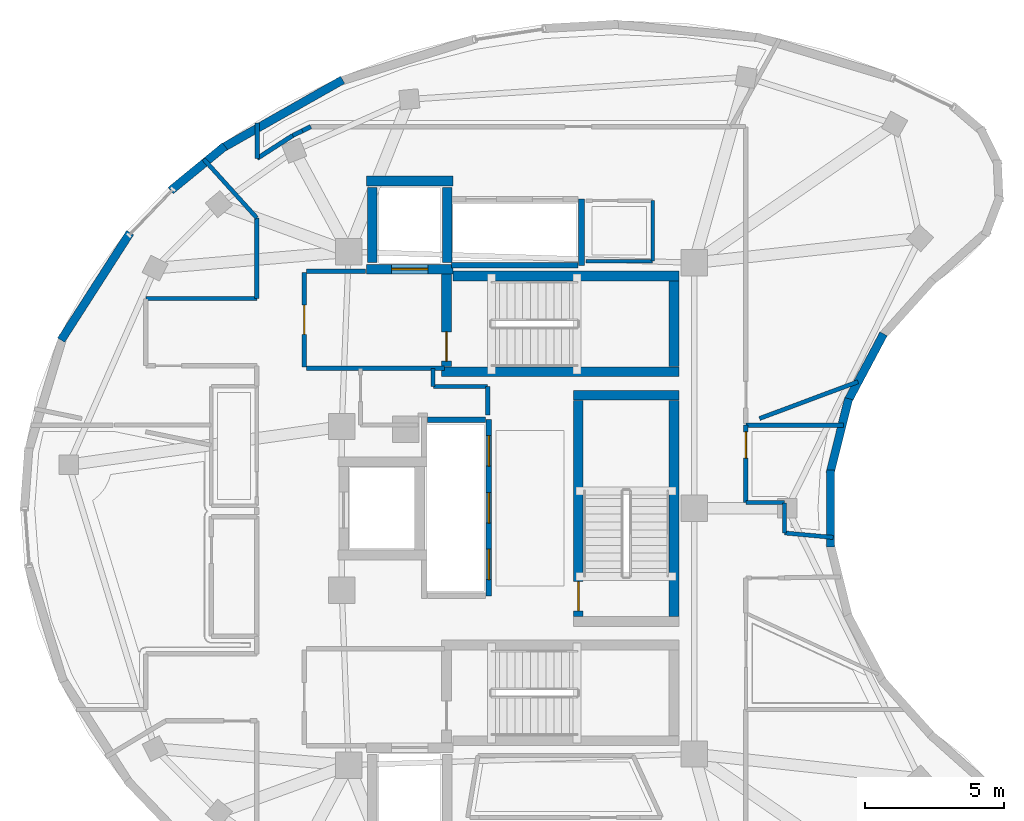
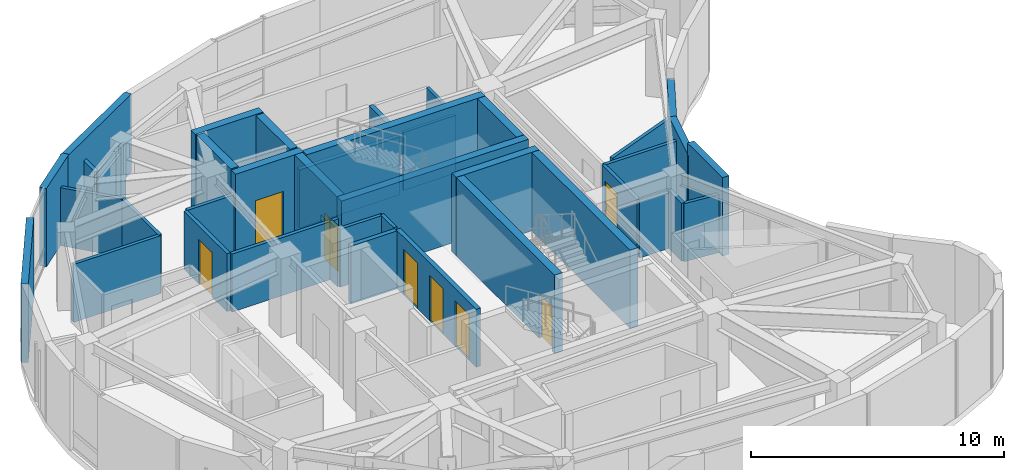
# One storey, part 5 of 8: 42 walls, 8 doors, 8 openings.
"""IFC4 building model written with IfcOpenShell, lengths in metres."""

from ifc_helpers import new_model, si_unit, direction, frame, frame_2d, origin, place, context, subcontext, project, spatial, rectangle, extrude, material, layer, layer_set, type_object, element, fill, save


model = new_model("IFC4")

# Units and contexts
model_context = context("Model", 3, precision=1e-05, world=origin(), true_north=direction((0.0, 1.0)))
body_context = subcontext(model_context, "Body", "Model", "MODEL_VIEW")
ifc_project = project(units=[si_unit("LENGTHUNIT", "METRE"), si_unit("AREAUNIT", "SQUARE_METRE"), si_unit("VOLUMEUNIT", "CUBIC_METRE"), si_unit("PLANEANGLEUNIT", "RADIAN"), si_unit("MASSUNIT", "GRAM", prefix="KILO")], contexts=[model_context])

# Site, building, storey
site_placement = place(None, origin())
site = spatial("IfcSite", under=ifc_project, at=site_placement, CompositionType="ELEMENT")
building_placement = place(site_placement, origin())
building = spatial("IfcBuilding", under=site, at=building_placement, Name="Korentha Bioscience Tower", CompositionType="ELEMENT")
storey_placement = place(building_placement, frame((0.0, 0.0, 318.60009765625)))
storey = spatial("IfcBuildingStorey", under=building, at=storey_placement, Name="L73", CompositionType="ELEMENT", Elevation=318.60009765625)

# Wall, opening, door
ifc_material_1 = material(Name="Double-Stud Acoustic Gypsum", Category="gypsum")
ifc_layer_1 = layer(ifc_material_1, 0.14990234375, Name="Double-Stud Acoustic Gypsum")
ifc_layer_set_1 = layer_set([ifc_layer_1], Name="Double-Stud Acoustic Gypsum (IW-L150)")
wall_type_1 = type_object("IfcWallType", Name="Acoustic Laboratory Partition Wall 150", PredefinedType="PARTITIONING", material=ifc_layer_set_1)
wall_1_placement = place(storey_placement, frame((39.409912109375, 27.2099609375, 0.0), z_axis=(0.0, 0.0, 1.0), x_axis=(0.0, 1.0, 0.0)))
wall_1 = element("IfcWall", 1, at=wall_1_placement, inside=storey, type_object=wall_type_1, Name="L73 Catering Warming Kitchen and Scullery 06 Entrance Wall", PredefinedType="PARTITIONING", context=body_context, shape_type="SweptSolid", body=[
    extrude(rectangle(XDim=2.7880859375, YDim=0.14990234375, at=frame_2d((1.39404296875, 0.0))), origin(), (0.0, 0.0, 1.0), 2.7998046875),
])
opening_1_placement = place(wall_1_placement, frame((1.597900390625, 0.0, 0.0)))
opening_1 = element("IfcOpeningElement", 2, at=opening_1_placement, cuts=wall_1, Name="Opening ID-10R", PredefinedType="OPENING", context=body_context, shape_type="SweptSolid", body=[
    extrude(rectangle(XDim=0.949951171875, YDim=2.14990234375, at=frame_2d((0.47509765625, 1.074951171875))), frame((0.0, 0.08984375, 0.0), z_axis=(0.0, -1.0, 0.0), x_axis=(1.0, 0.0, 0.0)), (0.0, 0.0, 1.0), 0.1796875),
])
ifc_material_2 = material(Name="Phenolic Laminate Timber Core", Category="wood")
door_type_1 = type_object("IfcDoorType", Name="Laboratory Single Leaf Door 950x2150 Right", OperationType="SINGLE_SWING_RIGHT", PredefinedType="DOOR", material=ifc_material_2)
door_1_placement = place(opening_1_placement, origin())
door_1 = element("IfcDoor", 3, at=door_1_placement, inside=storey, type_object=door_type_1, Name="L73 Catering Warming Kitchen and Scullery 06 Door", OperationType="SINGLE_SWING_RIGHT", OverallHeight=2.14990234375, OverallWidth=0.949951171875, PredefinedType="DOOR", context=body_context, shape_type="SweptSolid", body=[
    extrude(rectangle(XDim=0.949951171875, YDim=2.14990234375, at=frame_2d((0.47509765625, 1.074951171875))), frame((0.0, 0.02490234375, 0.0), z_axis=(0.0, -1.0, 0.0), x_axis=(1.0, 0.0, 0.0)), (0.0, 0.0, 1.0), 0.050048828125),
])
fill(opening_1, door_1)

# Walls
wall_2_placement = place(storey_placement, frame((42.561767578125, 25.95263671875, 0.0), z_axis=(0.0, 0.0, 1.0), x_axis=(-0.995732412273, 0.092287394308, 0.0)))
element("IfcWall", 4, at=wall_2_placement, inside=storey, type_object=wall_type_1, Name="L73 Interior Partition 039", PredefinedType="PARTITIONING", context=body_context, shape_type="SweptSolid", body=[
    extrude(rectangle(XDim=1.75927734375, YDim=0.14990234375, at=frame_2d((0.879638671875, 0.0))), origin(), (0.0, 0.0, 1.0), 2.7998046875),
])
wall_3_placement = place(storey_placement, frame((40.81005859375, 26.114990234375, 0.0), z_axis=(0.0, 0.0, 1.0), x_axis=(0.0, 1.0, 0.0)))
element("IfcWall", 5, at=wall_3_placement, inside=storey, type_object=wall_type_1, Name="L73 Interior Partition 040", PredefinedType="PARTITIONING", context=body_context, shape_type="SweptSolid", body=[
    extrude(rectangle(XDim=1.0849609375, YDim=0.14990234375, at=frame_2d((0.54248046875, 0.0))), origin(), (0.0, 0.0, 1.0), 2.7998046875),
])
wall_4_placement = place(storey_placement, frame((40.800048828125, 27.2099609375, 0.0), z_axis=(0.0, 0.0, 1.0), x_axis=(-1.0, 0.0, 0.0)))
element("IfcWall", 6, at=wall_4_placement, inside=storey, type_object=wall_type_1, Name="L73 Interior Partition 041", PredefinedType="PARTITIONING", context=body_context, shape_type="SweptSolid", body=[
    extrude(rectangle(XDim=1.39013671875, YDim=0.14990234375, at=frame_2d((0.695068359375, 0.0))), origin(), (0.0, 0.0, 1.0), 2.7998046875),
])
wall_5_placement = place(storey_placement, frame((39.409912109375, 29.998046875, 0.0), z_axis=(0.0, 0.0, 1.0), x_axis=(1.0, 0.0, 0.0)))
element("IfcWall", 7, at=wall_5_placement, inside=storey, type_object=wall_type_1, Name="L73 Interior Partition 042", PredefinedType="PARTITIONING", context=body_context, shape_type="SweptSolid", body=[
    extrude(rectangle(XDim=3.522705078125, YDim=0.14990234375, at=frame_2d((1.76123046875, 0.0))), origin(), (0.0, 0.0, 1.0), 2.7998046875),
])
wall_6_placement = place(storey_placement, frame((43.452880859375, 31.564697265625, 0.0), z_axis=(0.0, 0.0, 1.0), x_axis=(-0.936680936722, -0.350183984186, 0.0)))
element("IfcWall", 8, at=wall_6_placement, inside=storey, type_object=wall_type_1, Name="L73 Interior Partition 043", PredefinedType="PARTITIONING", context=body_context, shape_type="SweptSolid", body=[
    extrude(rectangle(XDim=3.78857421875, YDim=0.14990234375, at=frame_2d((1.894287109375, 0.0))), origin(), (0.0, 0.0, 1.0), 2.7998046875),
])
wall_7_placement = place(storey_placement, frame((28.139892578125, 32.0400390625, 0.0), z_axis=(0.0, 0.0, 1.0), x_axis=(0.0, -1.0, 0.0)))
element("IfcWall", 9, at=wall_7_placement, inside=storey, type_object=wall_type_1, Name="L73 Interior Partition 050", PredefinedType="PARTITIONING", context=body_context, shape_type="SweptSolid", body=[
    extrude(rectangle(XDim=0.64013671875, YDim=0.14990234375, at=frame_2d((0.320068359375, 0.0))), origin(), (0.0, 0.0, 1.0), 2.7998046875),
])
wall_8_placement = place(storey_placement, frame((28.14990234375, 31.389892578125, 0.0), z_axis=(0.0, 0.0, 1.0), x_axis=(1.0, 0.0, 0.0)))
element("IfcWall", 10, at=wall_8_placement, inside=storey, type_object=wall_type_1, Name="L73 Interior Partition 051", PredefinedType="PARTITIONING", context=body_context, shape_type="SweptSolid", body=[
    extrude(rectangle(XDim=1.960205078125, YDim=0.14990234375, at=frame_2d((0.97998046875, 0.0))), origin(), (0.0, 0.0, 1.0), 2.7998046875),
])
wall_9_placement = place(storey_placement, frame((30.110107421875, 31.389892578125, 0.0), z_axis=(0.0, 0.0, 1.0), x_axis=(0.0, -1.0, 0.0)))
element("IfcWall", 11, at=wall_9_placement, inside=storey, type_object=wall_type_1, Name="L73 Interior Partition 052", PredefinedType="PARTITIONING", context=body_context, shape_type="SweptSolid", body=[
    extrude(rectangle(XDim=1.02978515625, YDim=0.14990234375, at=frame_2d((0.514892578125, 0.0))), origin(), (0.0, 0.0, 1.0), 2.7998046875),
])
wall_10_placement = place(storey_placement, frame((19.876953125, 39.58349609375, 0.0), z_axis=(0.0, 0.0, 1.0), x_axis=(0.670438239368, -0.741965340965, 0.0)))
element("IfcWall", 12, at=wall_10_placement, inside=storey, type_object=wall_type_1, Name="L73 Interior Partition 057", PredefinedType="PARTITIONING", context=body_context, shape_type="SweptSolid", body=[
    extrude(rectangle(XDim=2.853515625, YDim=0.14990234375, at=frame_2d((1.4267578125, 0.0))), origin(), (0.0, 0.0, 1.0), 2.7998046875),
])
wall_11_placement = place(storey_placement, frame((21.7900390625, 37.46630859375, 0.0), z_axis=(0.0, 0.0, 1.0), x_axis=(0.0, -1.0, 0.0)))
element("IfcWall", 13, at=wall_11_placement, inside=storey, type_object=wall_type_1, Name="L73 Interior Partition 058", PredefinedType="PARTITIONING", context=body_context, shape_type="SweptSolid", body=[
    extrude(rectangle(XDim=2.90625, YDim=0.14990234375, at=frame_2d((1.453125, 0.0))), origin(), (0.0, 0.0, 1.0), 2.7998046875),
])
wall_12_placement = place(storey_placement, frame((21.7900390625, 34.56005859375, 0.0), z_axis=(0.0, 0.0, 1.0), x_axis=(-1.0, 0.0, 0.0)))
element("IfcWall", 14, at=wall_12_placement, inside=storey, type_object=wall_type_1, Name="L73 Interior Partition 059", PredefinedType="PARTITIONING", context=body_context, shape_type="SweptSolid", body=[
    extrude(rectangle(XDim=3.989990234375, YDim=0.14990234375, at=frame_2d((1.9951171875, 0.0))), origin(), (0.0, 0.0, 1.0), 2.7998046875),
])

# Wall, opening, door
ifc_material_3 = material(Name="Gypsum-Clad Steel Stud", Category="steel")
ifc_layer_2 = layer(ifc_material_3, 0.159912109375, Name="Gypsum-Clad Steel Stud")
ifc_layer_set_2 = layer_set([ifc_layer_2], Name="Gypsum-Clad Steel Stud (IW-C160)")
wall_type_2 = type_object("IfcWallType", Name="Fire-Rated Corridor Partition Wall 160", PredefinedType="PARTITIONING", material=ifc_layer_set_2)
wall_13_placement = place(storey_placement, frame((23.5, 32.10009765625, 0.0), z_axis=(0.0, 0.0, 1.0), x_axis=(0.0, 1.0, 0.0)))
wall_13 = element("IfcWall", 15, at=wall_13_placement, inside=storey, type_object=wall_type_2, Name="L73 FFLN-CW Rated Enclosure Wall", PredefinedType="PARTITIONING", context=body_context, shape_type="SweptSolid", body=[
    extrude(rectangle(XDim=3.39990234375, YDim=0.159912109375, at=frame_2d((1.699951171875, 0.0))), origin(), (0.0, 0.0, 1.0), 2.7998046875),
])
opening_2_placement = place(wall_13_placement, frame((1.175048828125, 0.0, 0.0)))
opening_2 = element("IfcOpeningElement", 16, at=opening_2_placement, cuts=wall_13, Name="Opening FD-90R", PredefinedType="OPENING", context=body_context, shape_type="SweptSolid", body=[
    extrude(rectangle(XDim=1.050048828125, YDim=2.14990234375, at=frame_2d((0.52490234375, 1.074951171875))), frame((0.0, 0.0947265625, 0.0), z_axis=(0.0, -1.0, 0.0), x_axis=(1.0, 0.0, 0.0)), (0.0, 0.0, 1.0), 0.189697265625),
])
ifc_material_4 = material(Name="Powder-Coated Fire-Rated Steel", Category="steel")
door_type_2 = type_object("IfcDoorType", Name="Stairwell Fire Exit Door 1050x2150 Right", OperationType="SINGLE_SWING_RIGHT", PredefinedType="DOOR", material=ifc_material_4)
door_2_placement = place(opening_2_placement, origin())
door_2 = element("IfcDoor", 17, at=door_2_placement, inside=storey, type_object=door_type_2, Name="L73 North Firefighting Lobby Door", OperationType="SINGLE_SWING_RIGHT", OverallHeight=2.14990234375, OverallWidth=1.050048828125, PredefinedType="DOOR", context=body_context, shape_type="SweptSolid", body=[
    extrude(rectangle(XDim=1.050048828125, YDim=2.14990234375, at=frame_2d((0.52490234375, 1.074951171875))), frame((0.0, 0.02490234375, 0.0), z_axis=(0.0, -1.0, 0.0), x_axis=(1.0, 0.0, 0.0)), (0.0, 0.0, 1.0), 0.050048828125),
])
fill(opening_2, door_2)

# Walls
wall_14_placement = place(storey_placement, frame((23.580078125, 32.050048828125, 0.0), z_axis=(0.0, 0.0, 1.0), x_axis=(1.0, 0.0, 0.0)))
element("IfcWall", 18, at=wall_14_placement, inside=storey, type_object=wall_type_2, Name="L73 Firefighting Lobby Return Wall FFLN-S", PredefinedType="PARTITIONING", context=body_context, shape_type="SweptSolid", body=[
    extrude(rectangle(XDim=4.969970703125, YDim=0.159912109375, at=frame_2d((2.48486328125, 0.0))), origin(), (0.0, 0.0, 1.0), 2.7998046875),
])
wall_15_placement = place(storey_placement, frame((23.580078125, 35.550048828125, 0.0), z_axis=(0.0, 0.0, 1.0), x_axis=(1.0, 0.0, 0.0)))
element("IfcWall", 19, at=wall_15_placement, inside=storey, type_object=wall_type_2, Name="L73 Firefighting Lobby Return Wall FFLN-N", PredefinedType="PARTITIONING", context=body_context, shape_type="SweptSolid", body=[
    extrude(rectangle(XDim=2.119873046875, YDim=0.159912109375, at=frame_2d((1.06005859375, 0.0))), origin(), (0.0, 0.0, 1.0), 2.7998046875),
])
wall_16_placement = place(storey_placement, frame((23.732177734375, 40.759033203125, 0.0), z_axis=(0.0, 0.0, 1.0), x_axis=(-0.895294719733, -0.445474314431, 0.0)))
element("IfcWall", 20, at=wall_16_placement, inside=storey, type_object=wall_type_2, Name="L73 Interior Partition 046", PredefinedType="PARTITIONING", context=body_context, shape_type="SweptSolid", body=[
    extrude(rectangle(XDim=0.337158203125, YDim=0.159912109375, at=frame_2d((0.16845703125, 0.0))), origin(), (0.0, 0.0, 1.0), 2.7998046875),
])
wall_17_placement = place(storey_placement, frame((23.430419921875, 40.60888671875, 0.0), z_axis=(0.0, 0.0, 1.0), x_axis=(-0.895442423971, -0.445177341463, 0.0)))
element("IfcWall", 21, at=wall_17_placement, inside=storey, type_object=wall_type_2, Name="L73 Interior Partition 047", PredefinedType="PARTITIONING", context=body_context, shape_type="SweptSolid", body=[
    extrude(rectangle(XDim=0.3837890625, YDim=0.159912109375, at=frame_2d((0.19189453125, 0.0))), origin(), (0.0, 0.0, 1.0), 2.7998046875),
])
wall_18_placement = place(storey_placement, frame((23.085693359375, 40.4375, 0.0), z_axis=(0.0, 0.0, 1.0), x_axis=(-0.841116099264, -0.540854608522, 0.0)))
element("IfcWall", 22, at=wall_18_placement, inside=storey, type_object=wall_type_2, Name="L73 Interior Partition 048", PredefinedType="PARTITIONING", context=body_context, shape_type="SweptSolid", body=[
    extrude(rectangle(XDim=1.526123046875, YDim=0.159912109375, at=frame_2d((0.76318359375, 0.0))), origin(), (0.0, 0.0, 1.0), 2.7998046875),
])
wall_19_placement = place(storey_placement, frame((21.802001953125, 39.612060546875, 0.0), z_axis=(0.0, 0.0, 1.0), x_axis=(0.0, 1.0, 0.0)))
element("IfcWall", 23, at=wall_19_placement, inside=storey, type_object=wall_type_2, Name="L73 Interior Partition 049", PredefinedType="PARTITIONING", context=body_context, shape_type="SweptSolid", body=[
    extrude(rectangle(XDim=1.2685546875, YDim=0.159912109375, at=frame_2d((0.63427734375, 0.0))), origin(), (0.0, 0.0, 1.0), 2.7998046875),
])
ifc_material_5 = material(Name="Honed Limestone Precast Concrete C40", Category="masonry")
ifc_layer_3 = layer(ifc_material_5, 0.300048828125, Name="Honed Limestone Precast Concrete C40")
ifc_layer_set_3 = layer_set([ifc_layer_3], Name="Honed Limestone Precast Concrete C40 (EW-ST300)")
wall_type_3 = type_object("IfcWallType", Name="Honed Limestone Cavity Spandrel Wall 300", PredefinedType="STANDARD", material=ifc_layer_set_3)
wall_20_placement = place(storey_placement, frame((24.8828125, 42.441650390625, 0.0), z_axis=(0.0, 0.0, 1.0), x_axis=(-0.869895003659, -0.493236943679, 0.0)))
element("IfcWall", 24, at=wall_20_placement, inside=storey, type_object=wall_type_3, Name="L73 Limestone Perimeter Closure Wall 10", PredefinedType="STANDARD", context=body_context, shape_type="SweptSolid", body=[
    extrude(rectangle(XDim=5.05126953125, YDim=0.300048828125, at=frame_2d((2.525634765625, 0.0))), origin(), (0.0, 0.0, 1.0), 3.789794921875),
])
wall_21_placement = place(storey_placement, frame((20.639892578125, 40.053955078125, 0.0), z_axis=(0.0, 0.0, 1.0), x_axis=(-0.77351792086, -0.633774428411, 0.0)))
element("IfcWall", 25, at=wall_21_placement, inside=storey, type_object=wall_type_3, Name="L73 Limestone Perimeter Closure Wall 12", PredefinedType="STANDARD", context=body_context, shape_type="SweptSolid", body=[
    extrude(rectangle(XDim=2.5263671875, YDim=0.300048828125, at=frame_2d((1.26318359375, 0.0))), origin(), (0.0, 0.0, 1.0), 3.789794921875),
])
wall_22_placement = place(storey_placement, frame((17.22412109375, 36.936279296875, 0.0), z_axis=(0.0, 0.0, 1.0), x_axis=(-0.540087262842, -0.841609023547, 0.0)))
element("IfcWall", 26, at=wall_22_placement, inside=storey, type_object=wall_type_3, Name="L73 Limestone Perimeter Closure Wall 14", PredefinedType="STANDARD", context=body_context, shape_type="SweptSolid", body=[
    extrude(rectangle(XDim=4.60302734375, YDim=0.300048828125, at=frame_2d((2.301513671875, 0.0))), origin(), (0.0, 0.0, 1.0), 3.789794921875),
])
wall_23_placement = place(storey_placement, frame((42.460693359375, 25.61279296875, 0.0), z_axis=(0.0, 0.0, 1.0), x_axis=(0.0, 1.0, 0.0)))
element("IfcWall", 27, at=wall_23_placement, inside=storey, type_object=wall_type_3, Name="L73 Limestone Perimeter Closure Wall 49", PredefinedType="STANDARD", context=body_context, shape_type="SweptSolid", body=[
    extrude(rectangle(XDim=2.7744140625, YDim=0.300048828125, at=frame_2d((1.38720703125, 0.0))), origin(), (0.0, 0.0, 1.0), 3.789794921875),
])
wall_24_placement = place(storey_placement, frame((42.445556640625, 28.263427734375, 0.0), z_axis=(0.0, 0.0, 1.0), x_axis=(0.241914392704, 0.970297596927, 0.0)))
element("IfcWall", 28, at=wall_24_placement, inside=storey, type_object=wall_type_3, Name="L73 Limestone Perimeter Closure Wall 51", PredefinedType="STANDARD", context=body_context, shape_type="SweptSolid", body=[
    extrude(rectangle(XDim=2.7744140625, YDim=0.300048828125, at=frame_2d((1.38720703125, 0.0))), origin(), (0.0, 0.0, 1.0), 3.23193359375),
])
wall_25_placement = place(storey_placement, frame((43.072021484375, 30.839111328125, 0.0), z_axis=(0.0, 0.0, 1.0), x_axis=(0.469496211135, 0.882934486658, 0.0)))
element("IfcWall", 29, at=wall_25_placement, inside=storey, type_object=wall_type_3, Name="L73 Limestone Perimeter Closure Wall 53", PredefinedType="STANDARD", context=body_context, shape_type="SweptSolid", body=[
    extrude(rectangle(XDim=2.774169921875, YDim=0.300048828125, at=frame_2d((1.38720703125, 0.0))), origin(), (0.0, 0.0, 1.0), 3.23193359375),
])

# Wall, openings, doors
ifc_material_6 = material(Name="Autoclaved Aerated Concrete Block C25", Category="concrete")
ifc_layer_4 = layer(ifc_material_6, 0.199951171875, Name="Autoclaved Aerated Concrete Block C25")
ifc_layer_set_4 = layer_set([ifc_layer_4], Name="Autoclaved Aerated Concrete Block C25 (IW-S200)")
wall_type_4 = type_object("IfcWallType", Name="Lift and Riser Shaft Enclosure Wall 200", PredefinedType="PARTITIONING", material=ifc_layer_set_4)
wall_26_placement = place(storey_placement, frame((30.14990234375, 23.85009765625, 0.0), z_axis=(0.0, 0.0, 1.0), x_axis=(0.0, 1.0, 0.0)))
wall_26 = element("IfcWall", 30, at=wall_26_placement, inside=storey, type_object=wall_type_4, Name="L73 Lift Bank HIGH Shaft Wall +X", PredefinedType="PARTITIONING", context=body_context, shape_type="SweptSolid", body=[
    extrude(rectangle(XDim=6.349853515625, YDim=0.199951171875, at=frame_2d((3.1748046875, 0.0))), origin(), (0.0, 0.0, 1.0), 2.7998046875),
])
opening_3_placement = place(wall_26_placement, frame((0.580078125, 0.0, 0.0)))
opening_3 = element("IfcOpeningElement", 31, at=opening_3_placement, cuts=wall_26, Name="Opening LD-11", PredefinedType="OPENING", context=body_context, shape_type="SweptSolid", body=[
    extrude(rectangle(XDim=1.10009765625, YDim=2.199951171875, at=frame_2d((0.550048828125, 1.10009765625))), frame((0.0, 0.11474609375, 0.0), z_axis=(0.0, -1.0, 0.0), x_axis=(1.0, 0.0, 0.0)), (0.0, 0.0, 1.0), 0.229736328125),
])
opening_4_placement = place(wall_26_placement, frame((2.6201171875, 0.0, 0.0)))
opening_4 = element("IfcOpeningElement", 32, at=opening_4_placement, cuts=wall_26, Name="Opening LD-11", PredefinedType="OPENING", context=body_context, shape_type="SweptSolid", body=[
    extrude(rectangle(XDim=1.10009765625, YDim=2.199951171875, at=frame_2d((0.550048828125, 1.10009765625))), frame((0.0, 0.11474609375, 0.0), z_axis=(0.0, -1.0, 0.0), x_axis=(1.0, 0.0, 0.0)), (0.0, 0.0, 1.0), 0.229736328125),
])
opening_5_placement = place(wall_26_placement, frame((4.669921875, 0.0, 0.0)))
opening_5 = element("IfcOpeningElement", 33, at=opening_5_placement, cuts=wall_26, Name="Opening LD-11", PredefinedType="OPENING", context=body_context, shape_type="SweptSolid", body=[
    extrude(rectangle(XDim=1.10009765625, YDim=2.199951171875, at=frame_2d((0.550048828125, 1.10009765625))), frame((0.0, 0.11474609375, 0.0), z_axis=(0.0, -1.0, 0.0), x_axis=(1.0, 0.0, 0.0)), (0.0, 0.0, 1.0), 0.229736328125),
])
ifc_material_7 = material(Name="Brushed Stainless Steel 304", Category="steel")
door_type_3 = type_object("IfcDoorType", Name="Passenger Lift Sliding Landing Door 1100x2200", OperationType="DOUBLE_DOOR_SLIDING", PredefinedType="DOOR", material=ifc_material_7)
door_3_placement = place(opening_3_placement, origin())
door_3 = element("IfcDoor", 34, at=door_3_placement, inside=storey, type_object=door_type_3, Name="L73 PL-H1 Sliding Lift Landing Door", OperationType="DOUBLE_DOOR_SLIDING", OverallHeight=2.199951171875, OverallWidth=1.10009765625, PredefinedType="DOOR", context=body_context, shape_type="SweptSolid", body=[
    extrude(rectangle(XDim=1.10009765625, YDim=2.199951171875, at=frame_2d((0.550048828125, 1.10009765625))), frame((0.0, 0.02490234375, 0.0), z_axis=(0.0, -1.0, 0.0), x_axis=(1.0, 0.0, 0.0)), (0.0, 0.0, 1.0), 0.050048828125),
])
fill(opening_3, door_3)
door_4_placement = place(opening_4_placement, origin())
door_4 = element("IfcDoor", 35, at=door_4_placement, inside=storey, type_object=door_type_3, Name="L73 PL-H2 Sliding Lift Landing Door", OperationType="DOUBLE_DOOR_SLIDING", OverallHeight=2.199951171875, OverallWidth=1.10009765625, PredefinedType="DOOR", context=body_context, shape_type="SweptSolid", body=[
    extrude(rectangle(XDim=1.10009765625, YDim=2.199951171875, at=frame_2d((0.550048828125, 1.10009765625))), frame((0.0, 0.02490234375, 0.0), z_axis=(0.0, -1.0, 0.0), x_axis=(1.0, 0.0, 0.0)), (0.0, 0.0, 1.0), 0.050048828125),
])
fill(opening_4, door_4)
door_5_placement = place(opening_5_placement, origin())
door_5 = element("IfcDoor", 36, at=door_5_placement, inside=storey, type_object=door_type_3, Name="L73 PL-H3 Sliding Lift Landing Door", OperationType="DOUBLE_DOOR_SLIDING", OverallHeight=2.199951171875, OverallWidth=1.10009765625, PredefinedType="DOOR", context=body_context, shape_type="SweptSolid", body=[
    extrude(rectangle(XDim=1.10009765625, YDim=2.199951171875, at=frame_2d((0.550048828125, 1.10009765625))), frame((0.0, 0.02490234375, 0.0), z_axis=(0.0, -1.0, 0.0), x_axis=(1.0, 0.0, 0.0)), (0.0, 0.0, 1.0), 0.050048828125),
])
fill(opening_5, door_5)

# Walls
wall_27_placement = place(storey_placement, frame((27.93408203125, 30.199951171875, 0.0), z_axis=(0.0, 0.0, 1.0), x_axis=(1.0, 0.0, 0.0)))
element("IfcWall", 37, at=wall_27_placement, inside=storey, type_object=wall_type_4, Name="L73 Lift Bank HIGH Shaft Wall +Y", PredefinedType="PARTITIONING", context=body_context, shape_type="SweptSolid", body=[
    extrude(rectangle(XDim=2.095947265625, YDim=0.199951171875, at=frame_2d((1.0478515625, 0.0))), origin(), (0.0, 0.0, 1.0), 2.7998046875),
])
wall_28_placement = place(storey_placement, frame((33.489990234375, 35.760009765625, 0.0), z_axis=(0.0, 0.0, 1.0), x_axis=(0.0, 1.0, 0.0)))
element("IfcWall", 38, at=wall_28_placement, inside=storey, type_object=wall_type_4, Name="L73 Lift Bank OBS Shaft Wall +X", PredefinedType="PARTITIONING", context=body_context, shape_type="SweptSolid", body=[
    extrude(rectangle(XDim=2.3798828125, YDim=0.199951171875, at=frame_2d((1.18994140625, 0.0))), origin(), (0.0, 0.0, 1.0), 2.7998046875),
])
wall_29_placement = place(storey_placement, frame((28.800048828125, 35.760009765625, 0.0), z_axis=(0.0, 0.0, 1.0), x_axis=(1.0, 0.0, 0.0)))
element("IfcWall", 39, at=wall_29_placement, inside=storey, type_object=wall_type_4, Name="L73 Lift Bank OBS Shaft Wall -Y", PredefinedType="PARTITIONING", context=body_context, shape_type="SweptSolid", body=[
    extrude(rectangle(XDim=4.570068359375, YDim=0.199951171875, at=frame_2d((2.28515625, 0.0))), origin(), (0.0, 0.0, 1.0), 2.7998046875),
])
ifc_material_8 = material(Name="Concrete C50", Category="concrete")
ifc_layer_5 = layer(ifc_material_8, 0.35009765625, Name="Concrete C50")
ifc_layer_set_5 = layer_set([ifc_layer_5], Name="Concrete C50 (CW-C50)")
wall_type_5 = type_object("IfcWallType", Name="Upper Core Shear Wall 350", PredefinedType="SHEAR", material=ifc_layer_set_5)
wall_30_placement = place(storey_placement, frame((28.85205078125, 35.375, 0.0), z_axis=(0.0, 0.0, 1.0), x_axis=(1.0, 0.0, 0.0)))
element("IfcWall", 40, at=wall_30_placement, inside=storey, type_object=wall_type_5, Name="L73 Core Shear Wall ST1-N", PredefinedType="SHEAR", context=body_context, shape_type="SweptSolid", body=[
    extrude(rectangle(XDim=8.14794921875, YDim=0.35009765625, at=frame_2d((4.073974609375, 0.0))), origin(), (0.0, 0.0, 1.0), 3.789794921875),
])
wall_31_placement = place(storey_placement, frame((28.449951171875, 31.925048828125, 0.0), z_axis=(0.0, 0.0, 1.0), x_axis=(1.0, 0.0, 0.0)))
element("IfcWall", 41, at=wall_31_placement, inside=storey, type_object=wall_type_5, Name="L73 Core Shear Wall ST1-S", PredefinedType="SHEAR", context=body_context, shape_type="SweptSolid", body=[
    extrude(rectangle(XDim=8.550048828125, YDim=0.35009765625, at=frame_2d((4.27490234375, 0.0))), origin(), (0.0, 0.0, 1.0), 3.789794921875),
])
wall_32_placement = place(storey_placement, frame((36.824951171875, 32.110107421875, 0.0), z_axis=(0.0, 0.0, 1.0), x_axis=(0.0, 1.0, 0.0)))
element("IfcWall", 42, at=wall_32_placement, inside=storey, type_object=wall_type_5, Name="L73 Core Shear Wall ST1-E", PredefinedType="SHEAR", context=body_context, shape_type="SweptSolid", body=[
    extrude(rectangle(XDim=3.079833984375, YDim=0.35009765625, at=frame_2d((1.5400390625, 0.0))), origin(), (0.0, 0.0, 1.0), 3.789794921875),
])

# Wall, opening, door
wall_33_placement = place(storey_placement, frame((28.625, 32.110107421875, 0.0), z_axis=(0.0, 0.0, 1.0), x_axis=(0.0, 1.0, 0.0)))
wall_33 = element("IfcWall", 43, at=wall_33_placement, inside=storey, type_object=wall_type_5, Name="L73 Core Shear Wall ST1-W", PredefinedType="SHEAR", context=body_context, shape_type="SweptSolid", body=[
    extrude(rectangle(XDim=3.3330078125, YDim=0.35009765625, at=frame_2d((1.66650390625, 0.0))), origin(), (0.0, 0.0, 1.0), 3.789794921875),
])
opening_6_placement = place(wall_33_placement, frame((0.199951171875, 0.0, 0.0)))
opening_6 = element("IfcOpeningElement", 44, at=opening_6_placement, cuts=wall_33, Name="Opening FD-90R", PredefinedType="OPENING", context=body_context, shape_type="SweptSolid", body=[
    extrude(rectangle(XDim=1.050048828125, YDim=2.14990234375, at=frame_2d((0.52490234375, 1.074951171875))), frame((0.0, 0.18994140625, 0.0), z_axis=(0.0, -1.0, 0.0), x_axis=(1.0, 0.0, 0.0)), (0.0, 0.0, 1.0), 0.3798828125),
])
door_6_placement = place(opening_6_placement, origin())
door_6 = element("IfcDoor", 45, at=door_6_placement, inside=storey, type_object=door_type_2, Name="L73 ST-1 Fire Exit Stair Door", OperationType="SINGLE_SWING_RIGHT", OverallHeight=2.14990234375, OverallWidth=1.050048828125, PredefinedType="DOOR", context=body_context, shape_type="SweptSolid", body=[
    extrude(rectangle(XDim=1.050048828125, YDim=2.14990234375, at=frame_2d((0.52490234375, 1.074951171875))), frame((0.0, 0.02490234375, 0.0), z_axis=(0.0, -1.0, 0.0), x_axis=(1.0, 0.0, 0.0)), (0.0, 0.0, 1.0), 0.050048828125),
])
fill(opening_6, door_6)

# Walls
wall_34_placement = place(storey_placement, frame((33.199951171875, 31.074951171875, 0.0), z_axis=(0.0, 0.0, 1.0), x_axis=(1.0, 0.0, 0.0)))
element("IfcWall", 46, at=wall_34_placement, inside=storey, type_object=wall_type_5, Name="L73 Core Shear Wall ST3-N", PredefinedType="SHEAR", context=body_context, shape_type="SweptSolid", body=[
    extrude(rectangle(XDim=3.800048828125, YDim=0.35009765625, at=frame_2d((1.89990234375, 0.0))), origin(), (0.0, 0.0, 1.0), 3.789794921875),
])
wall_35_placement = place(storey_placement, frame((36.824951171875, 23.110107421875, 0.0), z_axis=(0.0, 0.0, 1.0), x_axis=(0.0, 1.0, 0.0)))
element("IfcWall", 47, at=wall_35_placement, inside=storey, type_object=wall_type_5, Name="L73 Core Shear Wall ST3-E", PredefinedType="SHEAR", context=body_context, shape_type="SweptSolid", body=[
    extrude(rectangle(XDim=7.77978515625, YDim=0.35009765625, at=frame_2d((3.889892578125, 0.0))), origin(), (0.0, 0.0, 1.0), 3.789794921875),
])

# Wall, opening, door
wall_36_placement = place(storey_placement, frame((33.375, 23.110107421875, 0.0), z_axis=(0.0, 0.0, 1.0), x_axis=(0.0, 1.0, 0.0)))
wall_36 = element("IfcWall", 48, at=wall_36_placement, inside=storey, type_object=wall_type_5, Name="L73 Core Shear Wall ST3-W", PredefinedType="SHEAR", context=body_context, shape_type="SweptSolid", body=[
    extrude(rectangle(XDim=7.77978515625, YDim=0.35009765625, at=frame_2d((3.889892578125, 0.0))), origin(), (0.0, 0.0, 1.0), 3.789794921875),
])
opening_7_placement = place(wall_36_placement, frame((0.199951171875, 0.0, 0.0)))
opening_7 = element("IfcOpeningElement", 49, at=opening_7_placement, cuts=wall_36, Name="Opening FD-90R", PredefinedType="OPENING", context=body_context, shape_type="SweptSolid", body=[
    extrude(rectangle(XDim=1.050048828125, YDim=2.14990234375, at=frame_2d((0.52490234375, 1.074951171875))), frame((0.0, 0.18994140625, 0.0), z_axis=(0.0, -1.0, 0.0), x_axis=(1.0, 0.0, 0.0)), (0.0, 0.0, 1.0), 0.3798828125),
])
door_7_placement = place(opening_7_placement, origin())
door_7 = element("IfcDoor", 50, at=door_7_placement, inside=storey, type_object=door_type_2, Name="L73 ST-3 Fire Exit Stair Door", OperationType="SINGLE_SWING_RIGHT", OverallHeight=2.14990234375, OverallWidth=1.050048828125, PredefinedType="DOOR", context=body_context, shape_type="SweptSolid", body=[
    extrude(rectangle(XDim=1.050048828125, YDim=2.14990234375, at=frame_2d((0.52490234375, 1.074951171875))), frame((0.0, 0.02490234375, 0.0), z_axis=(0.0, -1.0, 0.0), x_axis=(1.0, 0.0, 0.0)), (0.0, 0.0, 1.0), 0.050048828125),
])
fill(opening_7, door_7)

# Wall
wall_37_placement = place(storey_placement, frame((25.75, 38.800048828125, 0.0), z_axis=(0.0, 0.0, 1.0), x_axis=(1.0, 0.0, 0.0)))
element("IfcWall", 51, at=wall_37_placement, inside=storey, type_object=wall_type_5, Name="L73 Core Shear Wall FFL2-N", PredefinedType="SHEAR", context=body_context, shape_type="SweptSolid", body=[
    extrude(rectangle(XDim=3.10009765625, YDim=0.35009765625, at=frame_2d((1.550048828125, 0.0))), origin(), (0.0, 0.0, 1.0), 3.789794921875),
])

# Wall, opening, door
wall_38_placement = place(storey_placement, frame((25.75, 35.6201171875, 0.0), z_axis=(0.0, 0.0, 1.0), x_axis=(1.0, 0.0, 0.0)))
wall_38 = element("IfcWall", 52, at=wall_38_placement, inside=storey, type_object=wall_type_5, Name="L73 Core Shear Wall FFL2-S", PredefinedType="SHEAR", context=body_context, shape_type="SweptSolid", body=[
    extrude(rectangle(XDim=3.10009765625, YDim=0.35009765625, at=frame_2d((1.550048828125, 0.0))), origin(), (0.0, 0.0, 1.0), 3.789794921875),
])
opening_8_placement = place(wall_38_placement, frame((0.89990234375, 0.0, 0.0)))
opening_8 = element("IfcOpeningElement", 53, at=opening_8_placement, cuts=wall_38, Name="Opening LD-13", PredefinedType="OPENING", context=body_context, shape_type="SweptSolid", body=[
    extrude(rectangle(XDim=1.300048828125, YDim=2.199951171875, at=frame_2d((0.64990234375, 1.10009765625))), frame((0.0, 0.18994140625, 0.0), z_axis=(0.0, -1.0, 0.0), x_axis=(1.0, 0.0, 0.0)), (0.0, 0.0, 1.0), 0.3798828125),
])
ifc_material_9 = material(Name="Brushed Stainless Steel 316", Category="steel")
door_type_4 = type_object("IfcDoorType", Name="Service & Firefighting Lift Landing Door 1300x2300", OperationType="DOUBLE_DOOR_SLIDING", PredefinedType="DOOR", material=ifc_material_9)
door_8_placement = place(opening_8_placement, origin())
door_8 = element("IfcDoor", 54, at=door_8_placement, inside=storey, type_object=door_type_4, Name="L73 FFL-2 Sliding Lift Landing Door", OperationType="DOUBLE_DOOR_SLIDING", OverallHeight=2.199951171875, OverallWidth=1.300048828125, PredefinedType="DOOR", context=body_context, shape_type="SweptSolid", body=[
    extrude(rectangle(XDim=1.300048828125, YDim=2.199951171875, at=frame_2d((0.64990234375, 1.10009765625))), frame((0.0, 0.02490234375, 0.0), z_axis=(0.0, -1.0, 0.0), x_axis=(1.0, 0.0, 0.0)), (0.0, 0.0, 1.0), 0.050048828125),
])
fill(opening_8, door_8)

# Walls
for number, where, z_axis, x_axis, name in (
    (55, (25.949951171875, 35.860107421875, 0.0), (0.0, 0.0, 1.0), (0.0, 1.0, 0.0), "L73 Core Shear Wall FFL2-W"),
    (56, (28.64990234375, 35.860107421875, 0.0), (0.0, 0.0, 1.0), (0.0, 1.0, 0.0), "L73 Core Shear Wall FFL2-E"),
):
    element("IfcWall", number, at=place(storey_placement, frame(where, z_axis=z_axis, x_axis=x_axis)), inside=storey, type_object=wall_type_5, Name=name, PredefinedType="SHEAR", context=body_context, shape_type="SweptSolid", body=[
        extrude(rectangle(XDim=2.699951171875, YDim=0.35009765625, at=frame_2d((1.35009765625, 0.0))), origin(), (0.0, 0.0, 1.0), 3.789794921875),
    ])
ifc_material_10 = material(Name="Cement-Board Steel Stud", Category="steel")
ifc_layer_6 = layer(ifc_material_10, 0.1298828125, Name="Cement-Board Steel Stud")
ifc_layer_set_6 = layer_set([ifc_layer_6], Name="Cement-Board Steel Stud (IW-W130)")
wall_type_6 = type_object("IfcWallType", Name="Wet-Area Moisture-Resistant Partition 130", PredefinedType="PARTITIONING", material=ifc_layer_set_6)
wall_39_placement = place(storey_placement, frame((36.050048828125, 35.909912109375, 0.0), z_axis=(0.0, 0.0, 1.0), x_axis=(-1.0, 0.0, 0.0)))
element("IfcWall", 57, at=wall_39_placement, inside=storey, type_object=wall_type_6, Name="L73 Interior Partition 014", PredefinedType="PARTITIONING", context=body_context, shape_type="SweptSolid", body=[
    extrude(rectangle(XDim=2.400146484375, YDim=0.1298828125, at=frame_2d((1.2001953125, 0.0))), origin(), (0.0, 0.0, 1.0), 2.7998046875),
])
wall_40_placement = place(storey_placement, frame((36.050048828125, 38.090087890625, 0.0), z_axis=(0.0, 0.0, 1.0), x_axis=(0.0, -1.0, 0.0)))
element("IfcWall", 58, at=wall_40_placement, inside=storey, type_object=wall_type_6, Name="L73 Interior Partition 015", PredefinedType="PARTITIONING", context=body_context, shape_type="SweptSolid", body=[
    extrude(rectangle(XDim=2.18017578125, YDim=0.1298828125, at=frame_2d((1.090087890625, 0.0))), origin(), (0.0, 0.0, 1.0), 2.7998046875),
])

save(model, "model.ifc")
